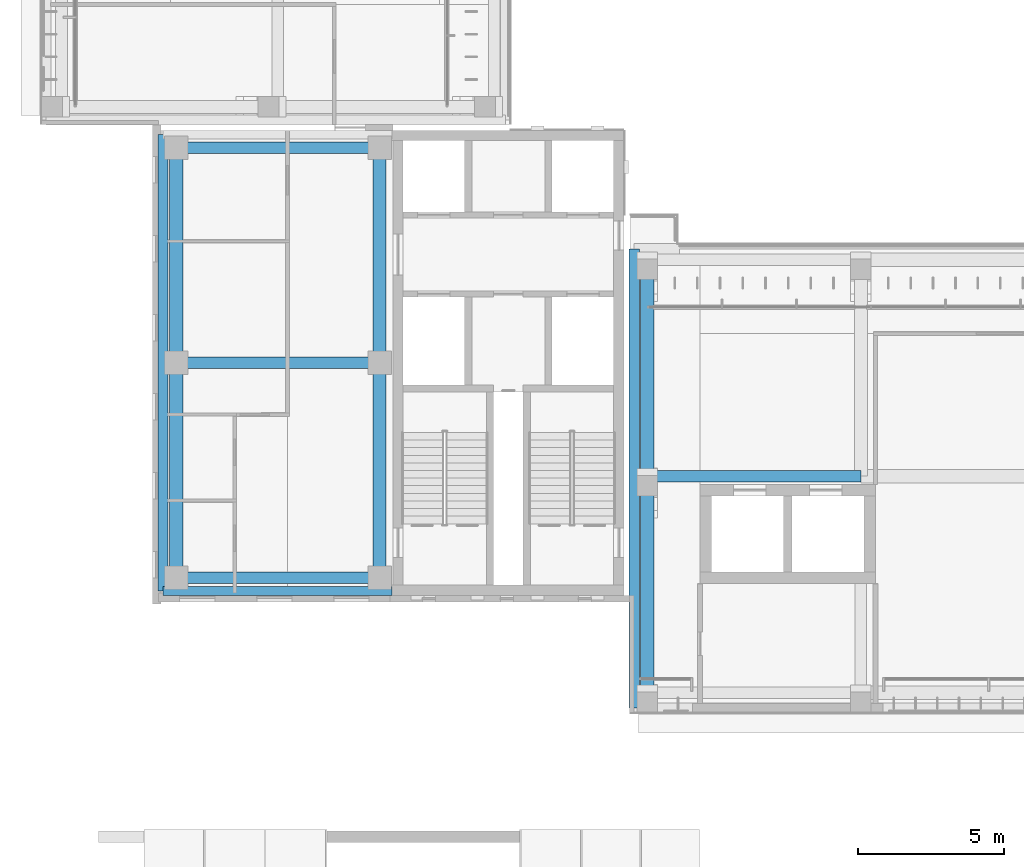
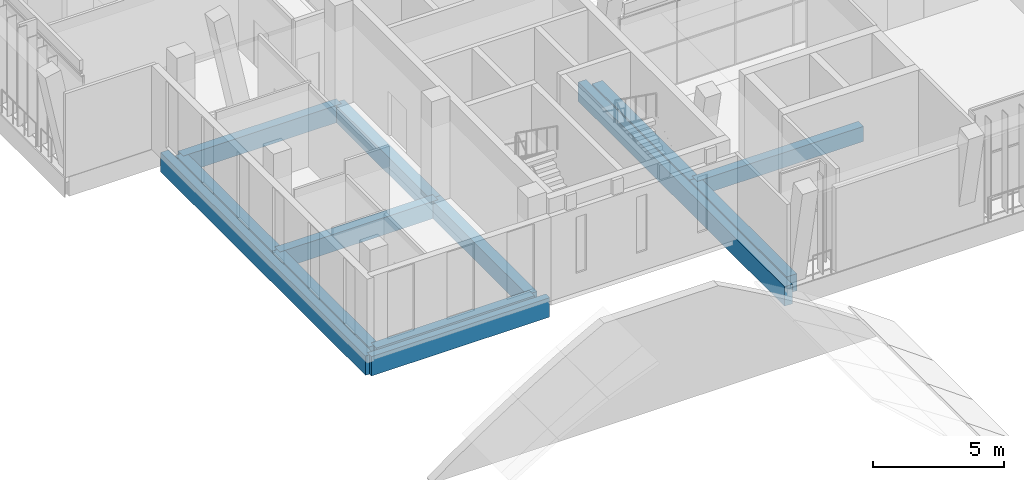
# One storey, part 3 of 74: 13 beams.
"""IFC4 building model written with IfcOpenShell, lengths in metres."""

from ifc_helpers import new_model, si_unit, direction, frame, origin, origin_2d, place, context, subcontext, project, spatial, rectangle, extrude, material, material_profile, profile_set, type_object, element, save


model = new_model("IFC4")

# Units and contexts
model_context = context("Model", 3, precision=1e-05, world=origin(), true_north=direction((0.0, 1.0)))
body_context = subcontext(model_context, "Body", "Model", "MODEL_VIEW")
ifc_project = project(units=[si_unit("LENGTHUNIT", "METRE"), si_unit("AREAUNIT", "SQUARE_METRE"), si_unit("VOLUMEUNIT", "CUBIC_METRE"), si_unit("PLANEANGLEUNIT", "RADIAN"), si_unit("MASSUNIT", "GRAM", prefix="KILO")], contexts=[model_context])

# Site, building, storey
site_placement = place(None, origin())
site = spatial("IfcSite", under=ifc_project, at=site_placement, CompositionType="ELEMENT")
building_placement = place(site_placement, origin())
building = spatial("IfcBuilding", under=site, at=building_placement, Name="Lantern Court Media Centre", CompositionType="ELEMENT")
storey_placement = place(building_placement, frame((0.0, 0.0, 19.199951171875)))
storey = spatial("IfcBuildingStorey", under=building, at=storey_placement, Name="L04", CompositionType="ELEMENT", Elevation=19.199951171875)

# Beams
ifc_material = material(Name="Concrete C35", Category="concrete")
ifc_material_profile_1 = material_profile(ifc_material, rectangle(XDim=0.300048828125, YDim=0.89990234375, at=origin_2d()), Name="RC 300x900")
ifc_profile_set_1 = profile_set([ifc_material_profile_1], Name="Concrete C35")
beam_type_1 = type_object("IfcBeamType", Name="RC BEAM 300x900", PredefinedType="BEAM", material=ifc_profile_set_1)
beam_1_placement = place(storey_placement, frame((8.14990234375, 48.14990234375, -0.449951171875), z_axis=(1.0, 0.0, 0.0), x_axis=(0.0, 1.0, 0.0)))
element("IfcBeam", 1, at=beam_1_placement, inside=storey, type_object=beam_type_1, Name="EB-SW-L04-S", PredefinedType="BEAM", context=body_context, shape_type="SweptSolid", body=[
    extrude(rectangle(XDim=0.300048828125, YDim=0.89990234375, at=origin_2d()), origin(), (0.0, 0.0, 1.0), 7.830078125),
])
ifc_material_profile_2 = material_profile(ifc_material, rectangle(XDim=0.35009765625, YDim=0.89990234375, at=origin_2d()), Name="RC 350x900")
ifc_profile_set_2 = profile_set([ifc_material_profile_2], Name="Concrete C35")
beam_type_2 = type_object("IfcBeamType", Name="RC BEAM 350x900", PredefinedType="BEAM", material=ifc_profile_set_2)
beam_2_placement = place(storey_placement, frame((8.14990234375, 48.14990234375, -0.449951171875), z_axis=(0.0, 1.0, 0.0), x_axis=(-1.0, 0.0, 0.0)))
element("IfcBeam", 2, at=beam_2_placement, inside=storey, type_object=beam_type_2, Name="EB-SW-L04-W", PredefinedType="BEAM", context=body_context, shape_type="SweptSolid", body=[
    extrude(rectangle(XDim=0.35009765625, YDim=0.89990234375, at=origin_2d()), origin(), (0.0, 0.0, 1.0), 15.60009765625),
])
beam_3_placement = place(storey_placement, frame((24.25, 44.14990234375, -0.449951171875), z_axis=(0.0, 1.0, 0.0), x_axis=(-1.0, 0.0, 0.0)))
element("IfcBeam", 3, at=beam_3_placement, inside=storey, type_object=beam_type_2, Name="EB-S-L04-C", PredefinedType="BEAM", context=body_context, shape_type="SweptSolid", body=[
    extrude(rectangle(XDim=0.35009765625, YDim=0.89990234375, at=origin_2d()), origin(), (0.0, 0.0, 1.0), 15.7001953125),
])
ifc_material_profile_3 = material_profile(ifc_material, rectangle(XDim=0.39990234375, YDim=0.699951171875, at=origin_2d()), Name="RC 400x700")
ifc_profile_set_3 = profile_set([ifc_material_profile_3], Name="Concrete C35")
beam_type_3 = type_object("IfcBeamType", Name="RC BEAM 400x700", PredefinedType="BEAM", material=ifc_profile_set_3)
beam_4_placement = place(storey_placement, frame((24.699951171875, 52.072998046875, -0.349853515625), z_axis=(1.0, 0.0, 0.0), x_axis=(0.0, 1.0, 0.0)))
element("IfcBeam", 4, at=beam_4_placement, inside=storey, type_object=beam_type_3, Name="LB-S-L04-1-0", PredefinedType="BEAM", context=body_context, shape_type="SweptSolid", body=[
    extrude(rectangle(XDim=0.39990234375, YDim=0.699951171875, at=origin_2d()), origin(), (0.0, 0.0, 1.0), 7.300048828125),
])
ifc_material_profile_4 = material_profile(ifc_material, rectangle(XDim=0.39990234375, YDim=0.800048828125, at=origin_2d()), Name="RC 400x800")
ifc_profile_set_4 = profile_set([ifc_material_profile_4], Name="Concrete C35")
beam_type_4 = type_object("IfcBeamType", Name="RC BEAM 400x800", PredefinedType="BEAM", material=ifc_profile_set_4)
for number, where, z_axis, x_axis, name in (
    (5, (8.60009765625, 48.60009765625, -0.39990234375), (1.0, 0.0, 0.0), (0.0, 1.0, 0.0), "BB-SW-L04-Y0-48"),
    (6, (8.60009765625, 55.949951171875, -0.39990234375), (1.0, 0.0, 0.0), (0.0, 1.0, 0.0), "BB-SW-L04-Y0-55"),
    (7, (8.60009765625, 63.300048828125, -0.39990234375), (1.0, 0.0, 0.0), (0.0, 1.0, 0.0), "BB-SW-L04-Y0-63"),
):
    element("IfcBeam", number, at=place(storey_placement, frame(where, z_axis=z_axis, x_axis=x_axis)), inside=storey, type_object=beam_type_4, Name=name, PredefinedType="BEAM", context=body_context, shape_type="SweptSolid", body=[
        extrude(rectangle(XDim=0.39990234375, YDim=0.800048828125, at=origin_2d()), origin(), (0.0, 0.0, 1.0), 6.949951171875),
    ])
ifc_material_profile_5 = material_profile(ifc_material, rectangle(XDim=0.449951171875, YDim=0.800048828125, at=origin_2d()), Name="RC 450x800")
ifc_profile_set_5 = profile_set([ifc_material_profile_5], Name="Concrete C35")
beam_type_5 = type_object("IfcBeamType", Name="RC BEAM 450x800", PredefinedType="BEAM", material=ifc_profile_set_5)
beam_5_placement = place(storey_placement, frame((8.60009765625, 48.60009765625, -0.39990234375), z_axis=(0.0, 1.0, 0.0), x_axis=(-1.0, 0.0, 0.0)))
element("IfcBeam", 8, at=beam_5_placement, inside=storey, type_object=beam_type_5, Name="BB-SW-L04-X0-8", PredefinedType="BEAM", context=body_context, shape_type="SweptSolid", body=[
    extrude(rectangle(XDim=0.449951171875, YDim=0.800048828125, at=origin_2d()), origin(), (0.0, 0.0, 1.0), 7.349853515625),
])
beam_6_placement = place(storey_placement, frame((8.60009765625, 55.949951171875, -0.39990234375), z_axis=(0.0, 1.0, 0.0), x_axis=(-1.0, 0.0, 0.0)))
element("IfcBeam", 9, at=beam_6_placement, inside=storey, type_object=beam_type_5, Name="BB-SW-L04-X1-8", PredefinedType="BEAM", context=body_context, shape_type="SweptSolid", body=[
    extrude(rectangle(XDim=0.449951171875, YDim=0.800048828125, at=origin_2d()), origin(), (0.0, 0.0, 1.0), 7.35009765625),
])
beam_7_placement = place(storey_placement, frame((15.550048828125, 48.60009765625, -0.39990234375), z_axis=(0.0, 1.0, 0.0), x_axis=(-1.0, 0.0, 0.0)))
element("IfcBeam", 10, at=beam_7_placement, inside=storey, type_object=beam_type_5, Name="BB-SW-L04-X0-15", PredefinedType="BEAM", context=body_context, shape_type="SweptSolid", body=[
    extrude(rectangle(XDim=0.449951171875, YDim=0.800048828125, at=origin_2d()), origin(), (0.0, 0.0, 1.0), 7.349853515625),
])
beam_8_placement = place(storey_placement, frame((15.550048828125, 55.949951171875, -0.39990234375), z_axis=(0.0, 1.0, 0.0), x_axis=(-1.0, 0.0, 0.0)))
element("IfcBeam", 11, at=beam_8_placement, inside=storey, type_object=beam_type_5, Name="BB-SW-L04-X1-15", PredefinedType="BEAM", context=body_context, shape_type="SweptSolid", body=[
    extrude(rectangle(XDim=0.449951171875, YDim=0.800048828125, at=origin_2d()), origin(), (0.0, 0.0, 1.0), 7.35009765625),
])
beam_9_placement = place(storey_placement, frame((24.699951171875, 44.683349609375, -0.39990234375), z_axis=(0.0, 1.0, 0.0), x_axis=(-1.0, 0.0, 0.0)))
element("IfcBeam", 12, at=beam_9_placement, inside=storey, type_object=beam_type_5, Name="TB-S-L04-0-1", PredefinedType="BEAM", context=body_context, shape_type="SweptSolid", body=[
    extrude(rectangle(XDim=0.449951171875, YDim=0.800048828125, at=origin_2d()), origin(), (0.0, 0.0, 1.0), 7.39990234375),
])
beam_10_placement = place(storey_placement, frame((24.699951171875, 52.083251953125, -0.39990234375), z_axis=(0.0, 1.0, 0.0), x_axis=(-1.0, 0.0, 0.0)))
element("IfcBeam", 13, at=beam_10_placement, inside=storey, type_object=beam_type_5, Name="TB-S-L04-0-2", PredefinedType="BEAM", context=body_context, shape_type="SweptSolid", body=[
    extrude(rectangle(XDim=0.449951171875, YDim=0.800048828125, at=origin_2d()), origin(), (0.0, 0.0, 1.0), 7.400146484375),
])

save(model, "model.ifc")
